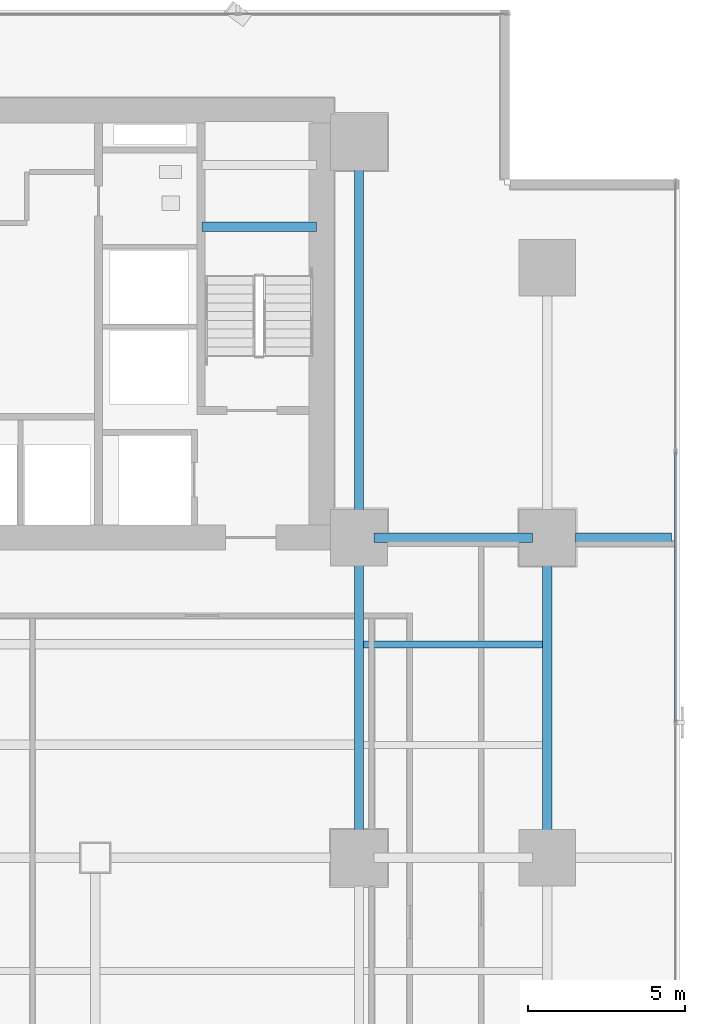
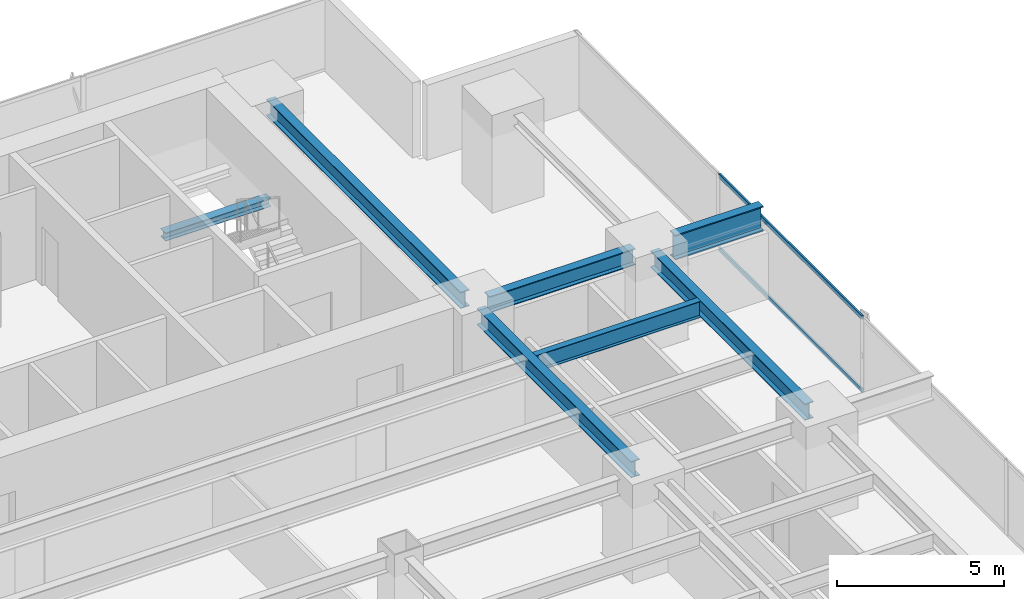
# One storey, part 20 of 33: 7 beams, 2 members, 1 element without a shape of its own.
"""IFC4 building model written with IfcOpenShell, lengths in metres."""

from ifc_helpers import new_model, si_unit, direction, frame, origin, origin_2d, place, context, subcontext, project, spatial, hollow_rectangle, i_section, extrude, source, transform, mapped, material, layer, layer_set, material_profile, profile_set, type_object, element, aggregate, save


model = new_model("IFC4")

# Units and contexts
model_context = context("Model", 3, precision=1e-05, world=origin(), true_north=direction((0.0, 1.0)))
body_context = subcontext(model_context, "Body", "Model", "MODEL_VIEW")
ifc_project = project(units=[si_unit("LENGTHUNIT", "METRE"), si_unit("AREAUNIT", "SQUARE_METRE"), si_unit("VOLUMEUNIT", "CUBIC_METRE"), si_unit("PLANEANGLEUNIT", "RADIAN"), si_unit("MASSUNIT", "GRAM", prefix="KILO")], contexts=[model_context])

# Site, building, storey
site_placement = place(None, origin())
site = spatial("IfcSite", under=ifc_project, at=site_placement, CompositionType="ELEMENT")
building_placement = place(site_placement, origin())
building = spatial("IfcBuilding", under=site, at=building_placement, Name="Sumidabori Civic Tower", CompositionType="ELEMENT")
storey_placement = place(building_placement, frame((0.0, 0.0, 59.60009765625)))
storey = spatial("IfcBuildingStorey", under=building, at=storey_placement, Name="L15", CompositionType="ELEMENT", Elevation=59.60009765625)

# Beams
ifc_material_1 = material(Name="Steel SN490", Category="steel")
ifc_material_profile_1 = material_profile(ifc_material_1, i_section(OverallWidth=0.300048828125, OverallDepth=0.300048828125, WebThickness=0.010986328125, FlangeThickness=0.01904296875, at=origin_2d()), Name="HE 300 B")
ifc_profile_set_1 = profile_set([ifc_material_profile_1], Name="Steel SN490")
beam_type_1 = type_object("IfcBeamType", Name="BM-LDG-300", PredefinedType="BEAM", material=ifc_profile_set_1)
shared_shape_1 = source(origin(), body_context, "Body", "SweptSolid", [
    extrude(i_section(OverallWidth=0.300048828125, OverallDepth=0.300048828125, WebThickness=0.010986328125, FlangeThickness=0.01904296875, at=origin_2d()), origin(), (0.0, 0.0, 1.0), 3.64990234375),
])
beam_1_placement = place(storey_placement, frame((11.800048828125, 20.09765625, 1.449951171875), z_axis=(1.0, 0.0, 0.0), x_axis=(0.0, 1.0, 0.0)))
element("IfcBeam", 1, at=beam_1_placement, inside=storey, type_object=beam_type_1, Name="Stair ST-2 Landing Support Beam L15-1A", PredefinedType="BEAM", context=body_context, shape_type="MappedRepresentation", body=[
    mapped(shared_shape_1, transform((0.0, 0.0, 0.0), x_axis=(1.0, 0.0, 0.0), y_axis=(0.0, 1.0, 0.0), z_axis=(0.0, 0.0, 1.0), scale=1.0)),
])
ifc_material_profile_2 = material_profile(ifc_material_1, i_section(OverallWidth=0.300048828125, OverallDepth=0.60009765625, WebThickness=0.015380859375, FlangeThickness=0.030029296875, at=origin_2d()), Name="HE 600 B")
ifc_profile_set_2 = profile_set([ifc_material_profile_2], Name="Steel SN490")
beam_type_2 = type_object("IfcBeamType", Name="BM-GIRD-600", PredefinedType="BEAM", material=ifc_profile_set_2)
shared_shape_2 = source(origin(), body_context, "Body", "SweptSolid", [
    extrude(i_section(OverallWidth=0.300048828125, OverallDepth=0.60009765625, WebThickness=0.015380859375, FlangeThickness=0.030029296875, at=origin_2d()), origin(), (0.0, 0.0, 1.0), 5.0400390625),
])
beam_2_placement = place(storey_placement, frame((17.280029296875, 10.199951171875, 3.059814453125), z_axis=(1.0, 0.0, 0.0), x_axis=(0.0, 1.0, 0.0)))
element("IfcBeam", 2, at=beam_2_placement, inside=storey, type_object=beam_type_2, Name="Primary Girder L15 GX-20", PredefinedType="BEAM", context=body_context, shape_type="MappedRepresentation", body=[
    mapped(shared_shape_2, transform((0.0, 0.0, 0.0), x_axis=(1.0, 0.0, 0.0), y_axis=(0.0, 1.0, 0.0), z_axis=(0.0, 0.0, 1.0), scale=1.0)),
])
shared_shape_3 = source(origin(), body_context, "Body", "SweptSolid", [
    extrude(i_section(OverallWidth=0.300048828125, OverallDepth=0.60009765625, WebThickness=0.015380859375, FlangeThickness=0.030029296875, at=origin_2d()), origin(), (0.0, 0.0, 1.0), 9.239990234375),
])
for number, where, z_axis, x_axis, name in (
    (3, (16.800048828125, 0.47998046875, 3.059814453125), (0.0, 1.0, 0.0), (-1.0, 0.0, 0.0), "Primary Girder L15 GY-37"),
    (4, (22.800048828125, 0.47998046875, 3.059814453125), (0.0, 1.0, 0.0), (-1.0, 0.0, 0.0), "Primary Girder L15 GY-41"),
):
    element("IfcBeam", number, at=place(storey_placement, frame(where, z_axis=z_axis, x_axis=x_axis)), inside=storey, type_object=beam_type_2, Name=name, PredefinedType="BEAM", context=body_context, shape_type="MappedRepresentation", body=[
        mapped(shared_shape_3, transform((0.0, 0.0, 0.0), x_axis=(1.0, 0.0, 0.0), y_axis=(0.0, 1.0, 0.0), z_axis=(0.0, 0.0, 1.0), scale=1.0)),
    ])
shared_shape_4 = source(origin(), body_context, "Body", "SweptSolid", [
    extrude(i_section(OverallWidth=0.300048828125, OverallDepth=0.60009765625, WebThickness=0.015380859375, FlangeThickness=0.030029296875, at=origin_2d()), origin(), (0.0, 0.0, 1.0), 11.64013671875),
])
beam_3_placement = place(storey_placement, frame((16.800048828125, 10.679931640625, 3.059814453125), z_axis=(0.0, 1.0, 0.0), x_axis=(-1.0, 0.0, 0.0)))
element("IfcBeam", 5, at=beam_3_placement, inside=storey, type_object=beam_type_2, Name="Primary Girder L15 GY-38", PredefinedType="BEAM", context=body_context, shape_type="MappedRepresentation", body=[
    mapped(shared_shape_4, transform((0.0, 0.0, 0.0), x_axis=(1.0, 0.0, 0.0), y_axis=(0.0, 1.0, 0.0), z_axis=(0.0, 0.0, 1.0), scale=1.0)),
])
ifc_material_profile_3 = material_profile(ifc_material_1, i_section(OverallWidth=0.302001953125, OverallDepth=0.909912109375, WebThickness=0.02099609375, FlangeThickness=0.0400390625, at=origin_2d()), Name="HE 900 M")
ifc_profile_set_3 = profile_set([ifc_material_profile_3], Name="Steel SN490")
beam_type_3 = type_object("IfcBeamType", Name="BM-Z1-EDGE", PredefinedType="SPANDREL", material=ifc_profile_set_3)
shared_shape_5 = source(origin(), body_context, "Body", "SweptSolid", [
    extrude(i_section(OverallWidth=0.302001953125, OverallDepth=0.909912109375, WebThickness=0.02099609375, FlangeThickness=0.0400390625, at=origin_2d()), origin(), (0.0, 0.0, 1.0), 3.050048828125),
])
beam_4_placement = place(storey_placement, frame((23.699951171875, 10.199951171875, 2.90478515625), z_axis=(1.0, 0.0, 0.0), x_axis=(0.0, 1.0, 0.0)))
element("IfcBeam", 6, at=beam_4_placement, inside=storey, type_object=beam_type_3, Name="Perimeter Overhang Beam L15 E-47", PredefinedType="SPANDREL", context=body_context, shape_type="MappedRepresentation", body=[
    mapped(shared_shape_5, transform((0.0, 0.0, 0.0), x_axis=(1.0, 0.0, 0.0), y_axis=(0.0, 1.0, 0.0), z_axis=(0.0, 0.0, 1.0), scale=1.0)),
])
ifc_material_profile_4 = material_profile(ifc_material_1, i_section(OverallWidth=0.219970703125, OverallDepth=0.60009765625, WebThickness=0.011962890625, FlangeThickness=0.01904296875, at=origin_2d()), Name="IPE 600")
ifc_profile_set_4 = profile_set([ifc_material_profile_4], Name="Steel SN490")
beam_type_4 = type_object("IfcBeamType", Name="BM-JST-600", PredefinedType="JOIST", material=ifc_profile_set_4)
shared_shape_6 = source(origin(), body_context, "Body", "SweptSolid", [
    extrude(i_section(OverallWidth=0.219970703125, OverallDepth=0.60009765625, WebThickness=0.011962890625, FlangeThickness=0.01904296875, at=origin_2d()), origin(), (0.0, 0.0, 1.0), 5.699951171875),
])
beam_5_placement = place(storey_placement, frame((16.949951171875, 6.800048828125, 3.059814453125), z_axis=(1.0, 0.0, 0.0), x_axis=(0.0, 1.0, 0.0)))
element("IfcBeam", 7, at=beam_5_placement, inside=storey, type_object=beam_type_4, Name="Outer Bay Floor Joist L15 JSTO-56", PredefinedType="JOIST", context=body_context, shape_type="MappedRepresentation", body=[
    mapped(shared_shape_6, transform((0.0, 0.0, 0.0), x_axis=(1.0, 0.0, 0.0), y_axis=(0.0, 1.0, 0.0), z_axis=(0.0, 0.0, 1.0), scale=1.0)),
])

# Curtain wall, members
ifc_material_2 = material(Name="Anodised Bronze Aluminium AW-6063-T6", Category="aluminium")
ifc_layer = layer(ifc_material_2, 0.179931640625, Name="Anodised Bronze Aluminium AW-6063-T6")
ifc_layer_set = layer_set([ifc_layer], Name="Anodised Bronze Aluminium AW-6063-T6")
curtain_wall_type = type_object("IfcCurtainWallType", Name="CW-SYS-2", PredefinedType="NOTDEFINED", material=ifc_layer_set)
curtain_wall_placement = place(storey_placement, origin())
curtain_wall = element("IfcCurtainWall", 8, at=curtain_wall_placement, inside=storey, type_object=curtain_wall_type, Name="Curtain Wall CW:L15:R04", PredefinedType="NOTDEFINED")
ifc_material_profile_5 = material_profile(ifc_material_2, hollow_rectangle(XDim=0.06494140625, YDim=0.14990234375, WallThickness=0.0048828125, at=origin_2d()), Name="ALU TRANSOM 150x65")
ifc_profile_set_5 = profile_set([ifc_material_profile_5], Name="Anodised Bronze Aluminium AW-6063-T6")
member_type = type_object("IfcMemberType", Name="CW-TRN-150", PredefinedType="USERDEFINED", material=ifc_profile_set_5)
shared_shape_7 = source(origin(), body_context, "Body", "SweptSolid", [
    extrude(hollow_rectangle(XDim=0.06494140625, YDim=0.14990234375, WallThickness=0.0048828125, at=origin_2d()), origin(), (0.0, 0.0, 1.0), 8.557861328125),
])
member_1_placement = place(storey_placement, frame((26.8798828125, 4.34912109375, 0.032470703125), z_axis=(0.0, 1.0, 0.0), x_axis=(-1.0, 0.0, 0.0)))
member_1 = element("IfcMember", 9, at=member_1_placement, type_object=member_type, Name="CW-2 transom 4.1", ObjectType="TRANSOM", PredefinedType="USERDEFINED", context=body_context, shape_type="MappedRepresentation", body=[
    mapped(shared_shape_7, transform((0.0, 0.0, 0.0), x_axis=(1.0, 0.0, 0.0), y_axis=(0.0, 1.0, 0.0), z_axis=(0.0, 0.0, 1.0), scale=1.0)),
])
member_2_placement = place(storey_placement, frame((26.8798828125, 4.34912109375, 2.70751953125), z_axis=(0.0, 1.0, 0.0), x_axis=(-1.0, 0.0, 0.0)))
member_2 = element("IfcMember", 10, at=member_2_placement, type_object=member_type, Name="CW-2 transom 4.2", ObjectType="TRANSOM", PredefinedType="USERDEFINED", context=body_context, shape_type="MappedRepresentation", body=[
    mapped(shared_shape_7, transform((0.0, 0.0, 0.0), x_axis=(1.0, 0.0, 0.0), y_axis=(0.0, 1.0, 0.0), z_axis=(0.0, 0.0, 1.0), scale=1.0)),
])
aggregate(curtain_wall, [member_1, member_2])

save(model, "model.ifc")
